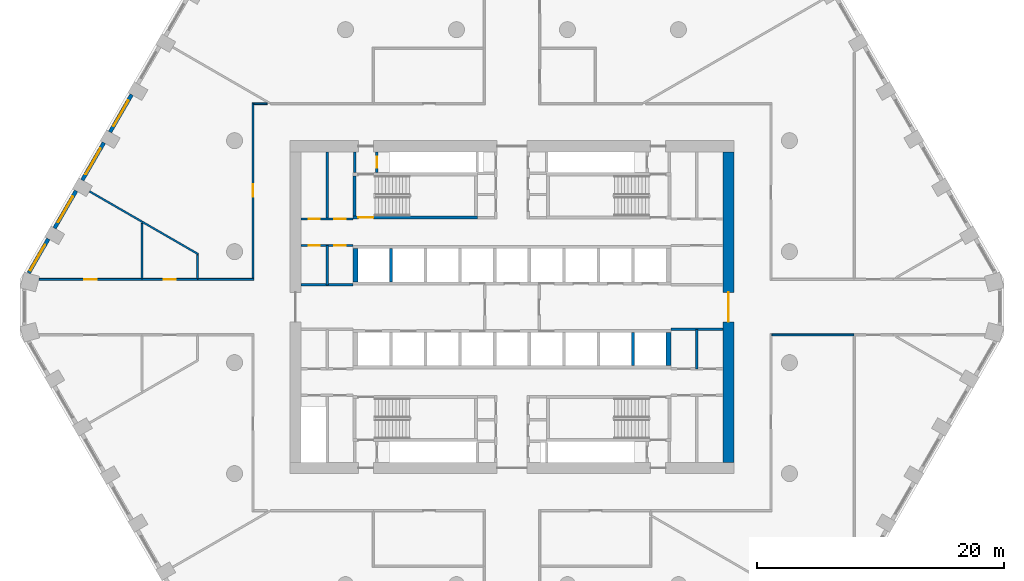
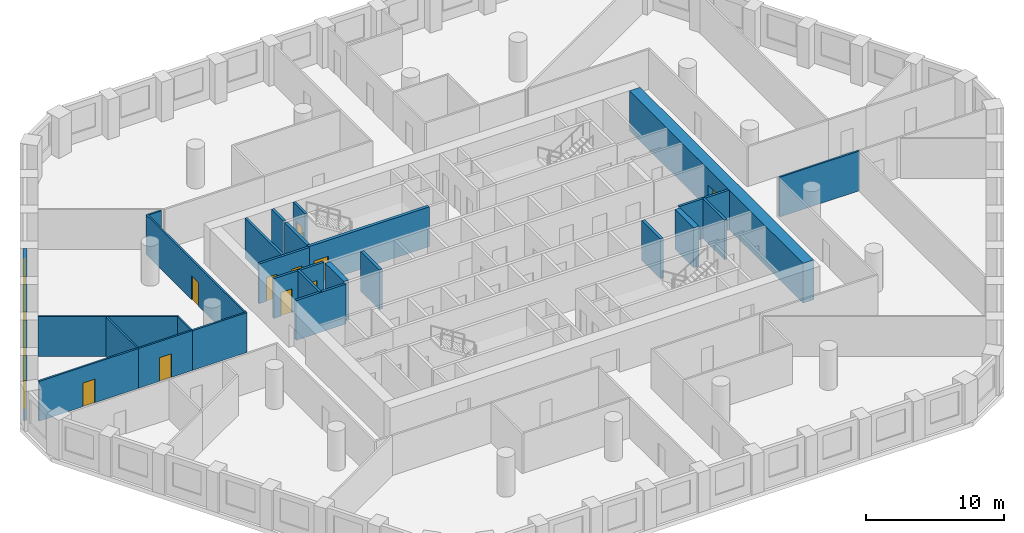
# One storey, part 5 of 10: 30 walls, 10 doors, 4 windows, 14 openings.
"""IFC4 building model written with IfcOpenShell, lengths in metres."""

from ifc_helpers import new_model, si_unit, direction, frame, frame_2d, origin, place, context, subcontext, project, spatial, polyline, rectangle, outline, extrude, material, layer, layer_set, type_object, element, fill, save


model = new_model("IFC4")

# Units and contexts
model_context = context("Model", 3, precision=1e-05, world=origin(), true_north=direction((0.0, 1.0)))
body_context = subcontext(model_context, "Body", "Model", "MODEL_VIEW")
ifc_project = project(units=[si_unit("LENGTHUNIT", "METRE"), si_unit("AREAUNIT", "SQUARE_METRE"), si_unit("VOLUMEUNIT", "CUBIC_METRE"), si_unit("PLANEANGLEUNIT", "RADIAN"), si_unit("MASSUNIT", "GRAM", prefix="KILO")], contexts=[model_context])

# Site, building, storey
site_placement = place(None, origin())
site = spatial("IfcSite", under=ifc_project, at=site_placement, CompositionType="ELEMENT")
building_placement = place(site_placement, origin())
building = spatial("IfcBuilding", under=site, at=building_placement, Name="Dhurran Vertical Campus", CompositionType="ELEMENT")
storey_placement = place(building_placement, frame((0.0, 0.0, 108.60009765625)))
storey = spatial("IfcBuildingStorey", under=building, at=storey_placement, Name="L26", CompositionType="ELEMENT", Elevation=108.60009765625)

# Wall, opening, window
ifc_material_1 = material(Name="Precast concrete C50/60", Category="concrete")
ifc_layer_1 = layer(ifc_material_1, 0.300048828125)
ifc_layer_set_1 = layer_set([ifc_layer_1], Name="Precast concrete C50/60")
wall_type_1 = type_object("IfcWallType", Name="Precast spandrel wall 300", PredefinedType="SOLIDWALL", material=ifc_layer_set_1)
wall_1_placement = place(storey_placement, frame((-30.84423828125, 17.22998046875, 0.0), z_axis=(0.0, 0.0, 1.0), x_axis=(-0.499996256241, -0.866027565234, 0.0)))
wall_1 = element("IfcWall", 1, at=wall_1_placement, inside=storey, type_object=wall_type_1, Name="EW1 L26.39", PredefinedType="SOLIDWALL", context=body_context, shape_type="SweptSolid", body=[
    extrude(rectangle(XDim=3.4990234375, YDim=0.300048828125, at=frame_2d((1.74951171875, 0.0))), origin(), (0.0, 0.0, 1.0), 3.52490234375),
])
opening_1_placement = place(wall_1_placement, frame((0.549560546875, 0.0, 0.89990234375)))
opening_1 = element("IfcOpeningElement", 2, at=opening_1_placement, cuts=wall_1, Name="Opening WT1", PredefinedType="OPENING", context=body_context, shape_type="SweptSolid", body=[
    extrude(rectangle(XDim=2.39990234375, YDim=2.10009765625, at=frame_2d((1.199951171875, 1.050048828125))), frame((0.0, 0.159912109375, 0.0), z_axis=(0.0, -1.0, 0.0), x_axis=(1.0, 0.0, 0.0)), (0.0, 0.0, 1.0), 0.320068359375),
])
ifc_material_2 = material(Name="Aluminium frame with solar-control glass", Category="aluminium")
window_type = type_object("IfcWindowType", Name="Punched window 2400 x 2100", PartitioningType="SINGLE_PANEL", PredefinedType="WINDOW", material=ifc_material_2)
window_1_placement = place(opening_1_placement, origin())
window_1 = element("IfcWindow", 3, at=window_1_placement, inside=storey, type_object=window_type, Name="WT1 L26.39", OverallHeight=2.10009765625, OverallWidth=2.39990234375, PartitioningType="SINGLE_PANEL", PredefinedType="WINDOW", context=body_context, shape_type="SweptSolid", body=[
    extrude(rectangle(XDim=2.39990234375, YDim=2.10009765625, at=frame_2d((1.199951171875, 1.050048828125))), frame((0.0, 0.030029296875, 0.0), z_axis=(0.0, -1.0, 0.0), x_axis=(1.0, 0.0, 0.0)), (0.0, 0.0, 1.0), 0.06005859375),
])
fill(opening_1, window_1)

wall_2_placement = place(storey_placement, frame((-33.09423828125, 13.3330078125, 0.0), z_axis=(0.0, 0.0, 1.0), x_axis=(-0.499996256241, -0.866027565234, 0.0)))
wall_2 = element("IfcWall", 4, at=wall_2_placement, inside=storey, type_object=wall_type_1, Name="EW1 L26.40", PredefinedType="SOLIDWALL", context=body_context, shape_type="SweptSolid", body=[
    extrude(rectangle(XDim=3.4990234375, YDim=0.300048828125, at=frame_2d((1.74951171875, 0.0))), origin(), (0.0, 0.0, 1.0), 3.52490234375),
])
opening_2_placement = place(wall_2_placement, frame((0.549560546875, 0.0, 0.89990234375)))
opening_2 = element("IfcOpeningElement", 5, at=opening_2_placement, cuts=wall_2, Name="Opening WT1", PredefinedType="OPENING", context=body_context, shape_type="SweptSolid", body=[
    extrude(rectangle(XDim=2.39990234375, YDim=2.10009765625, at=frame_2d((1.199951171875, 1.050048828125))), frame((0.0, 0.159912109375, 0.0), z_axis=(0.0, -1.0, 0.0), x_axis=(1.0, 0.0, 0.0)), (0.0, 0.0, 1.0), 0.320068359375),
])
window_2_placement = place(opening_2_placement, origin())
window_2 = element("IfcWindow", 6, at=window_2_placement, inside=storey, type_object=window_type, Name="WT1 L26.40", OverallHeight=2.10009765625, OverallWidth=2.39990234375, PartitioningType="SINGLE_PANEL", PredefinedType="WINDOW", context=body_context, shape_type="SweptSolid", body=[
    extrude(rectangle(XDim=2.39990234375, YDim=2.10009765625, at=frame_2d((1.199951171875, 1.050048828125))), frame((0.0, 0.030029296875, 0.0), z_axis=(0.0, -1.0, 0.0), x_axis=(1.0, 0.0, 0.0)), (0.0, 0.0, 1.0), 0.06005859375),
])
fill(opening_2, window_2)

wall_3_placement = place(storey_placement, frame((-35.34423828125, 9.435791015625, 0.0), z_axis=(0.0, 0.0, 1.0), x_axis=(-0.499996256241, -0.866027565234, 0.0)))
wall_3 = element("IfcWall", 7, at=wall_3_placement, inside=storey, type_object=wall_type_1, Name="EW1 L26.41", PredefinedType="SOLIDWALL", context=body_context, shape_type="SweptSolid", body=[
    extrude(rectangle(XDim=3.4990234375, YDim=0.300048828125, at=frame_2d((1.74951171875, 0.0))), origin(), (0.0, 0.0, 1.0), 3.52490234375),
])
opening_3_placement = place(wall_3_placement, frame((0.549560546875, 0.0, 0.89990234375)))
opening_3 = element("IfcOpeningElement", 8, at=opening_3_placement, cuts=wall_3, Name="Opening WT1", PredefinedType="OPENING", context=body_context, shape_type="SweptSolid", body=[
    extrude(rectangle(XDim=2.39990234375, YDim=2.10009765625, at=frame_2d((1.199951171875, 1.050048828125))), frame((0.0, 0.159912109375, 0.0), z_axis=(0.0, -1.0, 0.0), x_axis=(1.0, 0.0, 0.0)), (0.0, 0.0, 1.0), 0.320068359375),
])
window_3_placement = place(opening_3_placement, origin())
window_3 = element("IfcWindow", 9, at=window_3_placement, inside=storey, type_object=window_type, Name="WT1 L26.41", OverallHeight=2.10009765625, OverallWidth=2.39990234375, PartitioningType="SINGLE_PANEL", PredefinedType="WINDOW", context=body_context, shape_type="SweptSolid", body=[
    extrude(rectangle(XDim=2.39990234375, YDim=2.10009765625, at=frame_2d((1.199951171875, 1.050048828125))), frame((0.0, 0.030029296875, 0.0), z_axis=(0.0, -1.0, 0.0), x_axis=(1.0, 0.0, 0.0)), (0.0, 0.0, 1.0), 0.06005859375),
])
fill(opening_3, window_3)

wall_4_placement = place(storey_placement, frame((-37.59423828125, 5.538818359375, 0.0), z_axis=(0.0, 0.0, 1.0), x_axis=(-0.500004907028, -0.866022570692, 0.0)))
wall_4 = element("IfcWall", 10, at=wall_4_placement, inside=storey, type_object=wall_type_1, Name="EW1 L26.42", PredefinedType="SOLIDWALL", context=body_context, shape_type="SweptSolid", body=[
    extrude(rectangle(XDim=3.1923828125, YDim=0.300048828125, at=frame_2d((1.59619140625, 0.0))), origin(), (0.0, 0.0, 1.0), 3.52490234375),
])
opening_4_placement = place(wall_4_placement, frame((0.549560546875, 0.0, 0.89990234375)))
opening_4 = element("IfcOpeningElement", 11, at=opening_4_placement, cuts=wall_4, Name="Opening WT1", PredefinedType="OPENING", context=body_context, shape_type="SweptSolid", body=[
    extrude(rectangle(XDim=2.39990234375, YDim=2.10009765625, at=frame_2d((1.199951171875, 1.050048828125))), frame((0.0, 0.159912109375, 0.0), z_axis=(0.0, -1.0, 0.0), x_axis=(1.0, 0.0, 0.0)), (0.0, 0.0, 1.0), 0.320068359375),
])
window_4_placement = place(opening_4_placement, origin())
window_4 = element("IfcWindow", 12, at=window_4_placement, inside=storey, type_object=window_type, Name="WT1 L26.42", OverallHeight=2.10009765625, OverallWidth=2.39990234375, PartitioningType="SINGLE_PANEL", PredefinedType="WINDOW", context=body_context, shape_type="SweptSolid", body=[
    extrude(rectangle(XDim=2.39990234375, YDim=2.10009765625, at=frame_2d((1.199951171875, 1.050048828125))), frame((0.0, 0.030029296875, 0.0), z_axis=(0.0, -1.0, 0.0), x_axis=(1.0, 0.0, 0.0)), (0.0, 0.0, 1.0), 0.06005859375),
])
fill(opening_4, window_4)

# Wall, opening, door
ifc_material_3 = material(Name="Concrete C60/75", Category="concrete")
ifc_layer_2 = layer(ifc_material_3, 0.89990234375)
ifc_layer_set_2 = layer_set([ifc_layer_2], Name="Concrete C60/75")
wall_type_2 = type_object("IfcWallType", Name="co-CORE-WALL-C0-900", PredefinedType="SHEAR", material=ifc_layer_set_2)
wall_5_placement = place(storey_placement, frame((17.550048828125, -12.60009765625, 0.0), z_axis=(0.0, 0.0, 1.0), x_axis=(0.0, 1.0, 0.0)))
wall_5 = element("IfcWall", 13, at=wall_5_placement, inside=storey, type_object=wall_type_2, Name="Core wall E L26", PredefinedType="SHEAR", context=body_context, shape_type="SweptSolid", body=[
    extrude(rectangle(XDim=25.2001953125, YDim=0.89990234375, at=frame_2d((12.60009765625, 0.0))), origin(), (0.0, 0.0, 1.0), 3.52490234375),
])
opening_5_placement = place(wall_5_placement, frame((11.39990234375, 0.0, 0.0)))
opening_5 = element("IfcOpeningElement", 14, at=opening_5_placement, cuts=wall_5, Name="Opening CL2", PredefinedType="OPENING", context=body_context, shape_type="SweptSolid", body=[
    extrude(rectangle(XDim=2.39990234375, YDim=2.10009765625, at=frame_2d((1.199951171875, 1.050048828125))), frame((0.0, 0.4599609375, 0.0), z_axis=(0.0, -1.0, 0.0), x_axis=(1.0, 0.0, 0.0)), (0.0, 0.0, 1.0), 0.919921875),
])
ifc_material_4 = material(Name="Fire-rated glazed door set")
door_type_1 = type_object("IfcDoorType", Name="co-D-LOBBY 2400x2100", OperationType="DOUBLE_DOOR_DOUBLE_SWING", PredefinedType="DOOR", material=ifc_material_4)
door_1_placement = place(opening_5_placement, origin())
door_1 = element("IfcDoor", 15, at=door_1_placement, inside=storey, type_object=door_type_1, Name="Lift lobby door E L26", OperationType="DOUBLE_DOOR_DOUBLE_SWING", OverallHeight=2.10009765625, OverallWidth=2.39990234375, PredefinedType="DOOR", context=body_context, shape_type="SweptSolid", body=[
    extrude(rectangle(XDim=2.39990234375, YDim=2.10009765625, at=frame_2d((1.199951171875, 1.050048828125))), frame((0.0, 0.02490234375, 0.0), z_axis=(0.0, -1.0, 0.0), x_axis=(1.0, 0.0, 0.0)), (0.0, 0.0, 1.0), 0.050048828125),
])
fill(opening_5, door_1)

# Wall
ifc_material_5 = material(Name="Fire-rated masonry blockwork", Category="masonry")
ifc_layer_3 = layer(ifc_material_5, 0.199951171875)
ifc_layer_set_3 = layer_set([ifc_layer_3], Name="Fire-rated masonry blockwork")
wall_type_3 = type_object("IfcWallType", Name="co-FIRE-PARTITION-200", PredefinedType="PARTITIONING", material=ifc_layer_set_3)
wall_6_placement = place(storey_placement, frame((-12.75, 10.89990234375, 0.0), z_axis=(0.0, 0.0, 1.0), x_axis=(0.0, 1.0, 0.0)))
element("IfcWall", 16, at=wall_6_placement, inside=storey, type_object=wall_type_3, Name="Core partition pass-ST1-o L26", PredefinedType="PARTITIONING", context=body_context, shape_type="SweptSolid", body=[
    extrude(rectangle(XDim=1.7001953125, YDim=0.199951171875, at=frame_2d((0.85009765625, 0.0))), origin(), (0.0, 0.0, 1.0), 3.52490234375),
])

# Wall, opening, door
wall_7_placement = place(storey_placement, frame((-10.949951171875, 10.89990234375, 0.0), z_axis=(0.0, 0.0, 1.0), x_axis=(0.0, 1.0, 0.0)))
wall_7 = element("IfcWall", 17, at=wall_7_placement, inside=storey, type_object=wall_type_3, Name="Core partition pass-ST1-i L26", PredefinedType="PARTITIONING", context=body_context, shape_type="SweptSolid", body=[
    extrude(rectangle(XDim=1.7001953125, YDim=0.199951171875, at=frame_2d((0.85009765625, 0.0))), origin(), (0.0, 0.0, 1.0), 3.52490234375),
])
opening_6_placement = place(wall_7_placement, frame((0.39990234375, 0.0, 0.0)))
opening_6 = element("IfcOpeningElement", 18, at=opening_6_placement, cuts=wall_7, Name="Opening T07-C13", PredefinedType="OPENING", context=body_context, shape_type="SweptSolid", body=[
    extrude(rectangle(XDim=0.89990234375, YDim=2.10009765625, at=frame_2d((0.449951171875, 1.050048828125))), frame((0.0, 0.10986328125, 0.0), z_axis=(0.0, -1.0, 0.0), x_axis=(1.0, 0.0, 0.0)), (0.0, 0.0, 1.0), 0.219970703125),
])
ifc_material_6 = material(Name="Fire-rated timber door set", Category="wood")
door_type_2 = type_object("IfcDoorType", Name="co-D-ROOM 900x2100", OperationType="SINGLE_SWING_LEFT", PredefinedType="DOOR", material=ifc_material_6)
door_2_placement = place(opening_6_placement, origin())
door_2 = element("IfcDoor", 19, at=door_2_placement, inside=storey, type_object=door_type_2, Name="Riser room door L26", OperationType="SINGLE_SWING_LEFT", OverallHeight=2.10009765625, OverallWidth=0.89990234375, PredefinedType="DOOR", context=body_context, shape_type="SweptSolid", body=[
    extrude(rectangle(XDim=0.89990234375, YDim=2.10009765625, at=frame_2d((0.449951171875, 1.050048828125))), frame((0.0, 0.02490234375, 0.0), z_axis=(0.0, -1.0, 0.0), x_axis=(1.0, 0.0, 0.0)), (0.0, 0.0, 1.0), 0.050048828125),
])
fill(opening_6, door_2)

# Wall
wall_8_placement = place(storey_placement, frame((-15.0, 7.14990234375, 0.0), z_axis=(0.0, 0.0, 1.0), x_axis=(0.0, 1.0, 0.0)))
element("IfcWall", 20, at=wall_8_placement, inside=storey, type_object=wall_type_3, Name="Core partition en-NW-cut0 L26", PredefinedType="PARTITIONING", context=body_context, shape_type="SweptSolid", body=[
    extrude(rectangle(XDim=5.4501953125, YDim=0.199951171875, at=frame_2d((2.72509765625, 0.0))), origin(), (0.0, 0.0, 1.0), 3.52490234375),
])

# Wall, openings, doors
wall_9_placement = place(storey_placement, frame((-17.10009765625, 7.14990234375, 0.0), z_axis=(0.0, 0.0, 1.0), x_axis=(1.0, 0.0, 0.0)))
wall_9 = element("IfcWall", 21, at=wall_9_placement, inside=storey, type_object=wall_type_3, Name="Core partition en-NW-w L26", PredefinedType="PARTITIONING", context=body_context, shape_type="SweptSolid", body=[
    extrude(rectangle(XDim=4.2001953125, YDim=0.199951171875, at=frame_2d((2.10009765625, 0.0))), origin(), (0.0, 0.0, 1.0), 3.52490234375),
])
opening_7_placement = place(wall_9_placement, frame((0.60009765625, 0.0, 0.0)))
opening_7 = element("IfcOpeningElement", 22, at=opening_7_placement, cuts=wall_9, Name="Opening T07-C17", PredefinedType="OPENING", context=body_context, shape_type="SweptSolid", body=[
    extrude(rectangle(XDim=0.89990234375, YDim=2.10009765625, at=frame_2d((0.449951171875, 1.050048828125))), frame((0.0, 0.10986328125, 0.0), z_axis=(0.0, -1.0, 0.0), x_axis=(1.0, 0.0, 0.0)), (0.0, 0.0, 1.0), 0.219970703125),
])
opening_8_placement = place(wall_9_placement, frame((2.699951171875, 0.0, 0.0)))
opening_8 = element("IfcOpeningElement", 23, at=opening_8_placement, cuts=wall_9, Name="Opening T07-C18", PredefinedType="OPENING", context=body_context, shape_type="SweptSolid", body=[
    extrude(rectangle(XDim=0.89990234375, YDim=2.10009765625, at=frame_2d((0.449951171875, 1.050048828125))), frame((0.0, 0.10986328125, 0.0), z_axis=(0.0, -1.0, 0.0), x_axis=(1.0, 0.0, 0.0)), (0.0, 0.0, 1.0), 0.219970703125),
])
door_3_placement = place(opening_7_placement, origin())
door_3 = element("IfcDoor", 24, at=door_3_placement, inside=storey, type_object=door_type_2, Name="Cleaner's store door L26", OperationType="SINGLE_SWING_LEFT", OverallHeight=2.10009765625, OverallWidth=0.89990234375, PredefinedType="DOOR", context=body_context, shape_type="SweptSolid", body=[
    extrude(rectangle(XDim=0.89990234375, YDim=2.10009765625, at=frame_2d((0.449951171875, 1.050048828125))), frame((0.0, 0.02490234375, 0.0), z_axis=(0.0, -1.0, 0.0), x_axis=(1.0, 0.0, 0.0)), (0.0, 0.0, 1.0), 0.050048828125),
])
fill(opening_7, door_3)
door_4_placement = place(opening_8_placement, origin())
door_4 = element("IfcDoor", 25, at=door_4_placement, inside=storey, type_object=door_type_2, Name="Cleaner's store door L26", OperationType="SINGLE_SWING_LEFT", OverallHeight=2.10009765625, OverallWidth=0.89990234375, PredefinedType="DOOR", context=body_context, shape_type="SweptSolid", body=[
    extrude(rectangle(XDim=0.89990234375, YDim=2.10009765625, at=frame_2d((0.449951171875, 1.050048828125))), frame((0.0, 0.02490234375, 0.0), z_axis=(0.0, -1.0, 0.0), x_axis=(1.0, 0.0, 0.0)), (0.0, 0.0, 1.0), 0.050048828125),
])
fill(opening_8, door_4)

# Wall
wall_10_placement = place(storey_placement, frame((-15.0, 1.800048828125, 0.0), z_axis=(0.0, 0.0, 1.0), x_axis=(0.0, 1.0, 0.0)))
element("IfcWall", 26, at=wall_10_placement, inside=storey, type_object=wall_type_3, Name="Core partition es-NW-cut0 L26", PredefinedType="PARTITIONING", context=body_context, shape_type="SweptSolid", body=[
    extrude(rectangle(XDim=3.199951171875, YDim=0.199951171875, at=frame_2d((1.60009765625, 0.0))), origin(), (0.0, 0.0, 1.0), 3.52490234375),
])

# Wall, openings, doors
wall_11_placement = place(storey_placement, frame((-17.10009765625, 5.0, 0.0), z_axis=(0.0, 0.0, 1.0), x_axis=(1.0, 0.0, 0.0)))
wall_11 = element("IfcWall", 27, at=wall_11_placement, inside=storey, type_object=wall_type_3, Name="Core partition es-NW-w L26", PredefinedType="PARTITIONING", context=body_context, shape_type="SweptSolid", body=[
    extrude(rectangle(XDim=4.2001953125, YDim=0.199951171875, at=frame_2d((2.10009765625, 0.0))), origin(), (0.0, 0.0, 1.0), 3.52490234375),
])
opening_9_placement = place(wall_11_placement, frame((0.60009765625, 0.0, 0.0)))
opening_9 = element("IfcOpeningElement", 28, at=opening_9_placement, cuts=wall_11, Name="Opening T07-C19", PredefinedType="OPENING", context=body_context, shape_type="SweptSolid", body=[
    extrude(rectangle(XDim=0.89990234375, YDim=2.10009765625, at=frame_2d((0.449951171875, 1.050048828125))), frame((0.0, 0.10986328125, 0.0), z_axis=(0.0, -1.0, 0.0), x_axis=(1.0, 0.0, 0.0)), (0.0, 0.0, 1.0), 0.219970703125),
])
opening_10_placement = place(wall_11_placement, frame((2.699951171875, 0.0, 0.0)))
opening_10 = element("IfcOpeningElement", 29, at=opening_10_placement, cuts=wall_11, Name="Opening T07-C20", PredefinedType="OPENING", context=body_context, shape_type="SweptSolid", body=[
    extrude(rectangle(XDim=0.89990234375, YDim=2.10009765625, at=frame_2d((0.449951171875, 1.050048828125))), frame((0.0, 0.10986328125, 0.0), z_axis=(0.0, -1.0, 0.0), x_axis=(1.0, 0.0, 0.0)), (0.0, 0.0, 1.0), 0.219970703125),
])
door_5_placement = place(opening_9_placement, origin())
door_5 = element("IfcDoor", 30, at=door_5_placement, inside=storey, type_object=door_type_2, Name="Fire equipment store door L26", OperationType="SINGLE_SWING_LEFT", OverallHeight=2.10009765625, OverallWidth=0.89990234375, PredefinedType="DOOR", context=body_context, shape_type="SweptSolid", body=[
    extrude(rectangle(XDim=0.89990234375, YDim=2.10009765625, at=frame_2d((0.449951171875, 1.050048828125))), frame((0.0, 0.02490234375, 0.0), z_axis=(0.0, -1.0, 0.0), x_axis=(1.0, 0.0, 0.0)), (0.0, 0.0, 1.0), 0.050048828125),
])
fill(opening_9, door_5)
door_6_placement = place(opening_10_placement, origin())
door_6 = element("IfcDoor", 31, at=door_6_placement, inside=storey, type_object=door_type_2, Name="Housekeeping store door L26", OperationType="SINGLE_SWING_LEFT", OverallHeight=2.10009765625, OverallWidth=0.89990234375, PredefinedType="DOOR", context=body_context, shape_type="SweptSolid", body=[
    extrude(rectangle(XDim=0.89990234375, YDim=2.10009765625, at=frame_2d((0.449951171875, 1.050048828125))), frame((0.0, 0.02490234375, 0.0), z_axis=(0.0, -1.0, 0.0), x_axis=(1.0, 0.0, 0.0)), (0.0, 0.0, 1.0), 0.050048828125),
])
fill(opening_10, door_6)

# Walls
wall_12_placement = place(storey_placement, frame((-17.10009765625, 1.800048828125, 0.0), z_axis=(0.0, 0.0, 1.0), x_axis=(1.0, 0.0, 0.0)))
element("IfcWall", 32, at=wall_12_placement, inside=storey, type_object=wall_type_3, Name="Core partition es-NW-l L26", PredefinedType="PARTITIONING", context=body_context, shape_type="SweptSolid", body=[
    extrude(rectangle(XDim=4.2001953125, YDim=0.199951171875, at=frame_2d((2.10009765625, 0.0))), origin(), (0.0, 0.0, 1.0), 3.52490234375),
])
wall_13_placement = place(storey_placement, frame((15.0, -5.0, 0.0), z_axis=(0.0, 0.0, 1.0), x_axis=(0.0, 1.0, 0.0)))
element("IfcWall", 33, at=wall_13_placement, inside=storey, type_object=wall_type_3, Name="Core partition es-SE-cut0 L26", PredefinedType="PARTITIONING", context=body_context, shape_type="SweptSolid", body=[
    extrude(rectangle(XDim=3.199951171875, YDim=0.199951171875, at=frame_2d((1.60009765625, 0.0))), origin(), (0.0, 0.0, 1.0), 3.52490234375),
])
wall_14_placement = place(storey_placement, frame((12.89990234375, -1.800048828125, 0.0), z_axis=(0.0, 0.0, 1.0), x_axis=(1.0, 0.0, 0.0)))
element("IfcWall", 34, at=wall_14_placement, inside=storey, type_object=wall_type_3, Name="Core partition es-SE-l L26", PredefinedType="PARTITIONING", context=body_context, shape_type="SweptSolid", body=[
    extrude(rectangle(XDim=4.2001953125, YDim=0.199951171875, at=frame_2d((2.10009765625, 0.0))), origin(), (0.0, 0.0, 1.0), 3.52490234375),
])
ifc_material_7 = material(Name="Concrete C50/60", Category="concrete")
ifc_layer_4 = layer(ifc_material_7, 0.25)
ifc_layer_set_4 = layer_set([ifc_layer_4], Name="Concrete C50/60")
wall_type_4 = type_object("IfcWallType", Name="co-SHAFT-MASS-250", PredefinedType="SHEAR", material=ifc_layer_set_4)
wall_15_placement = place(storey_placement, origin())
element("IfcWall", 35, at=wall_15_placement, inside=storey, type_object=wall_type_4, Name="Lift shaft wall N L26 2", PredefinedType="SHEAR", context=body_context, shape_type="SweptSolid", body=[
    extrude(outline(polyline([(-12.89990234375, 2.050048828125), (-12.47509765625, 2.050048828125), (-12.47509765625, 4.75), (-12.89990234375, 4.75), (-12.89990234375, 2.050048828125)])), origin(), (0.0, 0.0, 1.0), 3.52490234375),
])
wall_16_placement = place(storey_placement, origin())
element("IfcWall", 36, at=wall_16_placement, inside=storey, type_object=wall_type_4, Name="Lift shaft wall N L26 3", PredefinedType="SHEAR", context=body_context, shape_type="SweptSolid", body=[
    extrude(outline(polyline([(-9.925048828125, 2.050048828125), (-9.675048828125, 2.050048828125), (-9.675048828125, 4.75), (-9.925048828125, 4.75), (-9.925048828125, 2.050048828125)])), origin(), (0.0, 0.0, 1.0), 3.52490234375),
])
wall_17_placement = place(storey_placement, origin())
element("IfcWall", 37, at=wall_17_placement, inside=storey, type_object=wall_type_4, Name="Lift shaft wall S L26 10", PredefinedType="SHEAR", context=body_context, shape_type="SweptSolid", body=[
    extrude(outline(polyline([(9.675048828125, -4.75), (9.925048828125, -4.75), (9.925048828125, -2.050048828125), (9.675048828125, -2.050048828125), (9.675048828125, -4.75)])), origin(), (0.0, 0.0, 1.0), 3.52490234375),
])
wall_18_placement = place(storey_placement, origin())
element("IfcWall", 38, at=wall_18_placement, inside=storey, type_object=wall_type_4, Name="Lift shaft wall S L26 11", PredefinedType="SHEAR", context=body_context, shape_type="SweptSolid", body=[
    extrude(outline(polyline([(12.47509765625, -4.75), (12.89990234375, -4.75), (12.89990234375, -2.050048828125), (12.47509765625, -2.050048828125), (12.47509765625, -4.75)])), origin(), (0.0, 0.0, 1.0), 3.52490234375),
])

# Wall, opening, door
ifc_material_8 = material(Name="Concrete C40/50", Category="concrete")
ifc_layer_5 = layer(ifc_material_8, 0.25)
ifc_layer_set_5 = layer_set([ifc_layer_5], Name="Concrete C40/50")
wall_type_5 = type_object("IfcWallType", Name="co-STAIR-WALL-250", PredefinedType="SHEAR", material=ifc_layer_set_5)
wall_19_placement = place(storey_placement, frame((-12.89990234375, 7.27490234375, 0.0), z_axis=(0.0, 0.0, 1.0), x_axis=(1.0, 0.0, 0.0)))
wall_19 = element("IfcWall", 39, at=wall_19_placement, inside=storey, type_object=wall_type_5, Name="Stair ST1 enclosure wall L26", PredefinedType="SHEAR", context=body_context, shape_type="SweptSolid", body=[
    extrude(rectangle(XDim=10.099853515625, YDim=0.25, at=frame_2d((5.0498046875, 0.0))), origin(), (0.0, 0.0, 1.0), 3.52490234375),
])
opening_11_placement = place(wall_19_placement, frame((0.449951171875, 0.0, 0.0)))
opening_11 = element("IfcOpeningElement", 40, at=opening_11_placement, cuts=wall_19, Name="Opening SD1", PredefinedType="OPENING", context=body_context, shape_type="SweptSolid", body=[
    extrude(rectangle(XDim=1.199951171875, YDim=2.10009765625, at=frame_2d((0.60009765625, 1.050048828125))), frame((0.0, 0.135009765625, 0.0), z_axis=(0.0, -1.0, 0.0), x_axis=(1.0, 0.0, 0.0)), (0.0, 0.0, 1.0), 0.27001953125),
])
ifc_material_9 = material(Name="Fire-rated steel door set", Category="steel")
door_type_3 = type_object("IfcDoorType", Name="co-D-STAIR 1200x2100", OperationType="SINGLE_SWING_LEFT", PredefinedType="DOOR", material=ifc_material_9)
door_7_placement = place(opening_11_placement, origin())
door_7 = element("IfcDoor", 41, at=door_7_placement, inside=storey, type_object=door_type_3, Name="Stair ST1 door L26", OperationType="SINGLE_SWING_LEFT", OverallHeight=2.10009765625, OverallWidth=1.199951171875, PredefinedType="DOOR", context=body_context, shape_type="SweptSolid", body=[
    extrude(rectangle(XDim=1.199951171875, YDim=2.10009765625, at=frame_2d((0.60009765625, 1.050048828125))), frame((0.0, 0.02490234375, 0.0), z_axis=(0.0, -1.0, 0.0), x_axis=(1.0, 0.0, 0.0)), (0.0, 0.0, 1.0), 0.050048828125),
])
fill(opening_11, door_7)

# Wall
wall_20_placement = place(storey_placement, frame((-12.77490234375, 7.39990234375, 0.0), z_axis=(0.0, 0.0, 1.0), x_axis=(0.0, 1.0, 0.0)))
element("IfcWall", 42, at=wall_20_placement, inside=storey, type_object=wall_type_5, Name="Stair ST1 enclosure wall L26", PredefinedType="SHEAR", context=body_context, shape_type="SweptSolid", body=[
    extrude(rectangle(XDim=3.25, YDim=0.25, at=frame_2d((1.625, 0.0))), origin(), (0.0, 0.0, 1.0), 3.52490234375),
])

# Wall, opening, door
ifc_material_10 = material(Name="Gypsum board corridor wall on steel studs", Category="steel")
ifc_layer_6 = layer(ifc_material_10, 0.14990234375)
ifc_layer_set_6 = layer_set([ifc_layer_6], Name="Gypsum board corridor wall on steel studs")
wall_type_6 = type_object("IfcWallType", Name="fl-CW-150 corridor wall", PredefinedType="PARTITIONING", material=ifc_layer_set_6)
wall_21_placement = place(storey_placement, frame((-38.35009765625, 2.25, 0.0), z_axis=(0.0, 0.0, 1.0), x_axis=(1.0, 0.0, 0.0)))
wall_21 = element("IfcWall", 43, at=wall_21_placement, inside=storey, type_object=wall_type_6, Name="Partition 26-02", PredefinedType="PARTITIONING", context=body_context, shape_type="SweptSolid", body=[
    extrude(rectangle(XDim=8.35009765625, YDim=0.14990234375, at=frame_2d((4.175048828125, 0.0))), origin(), (0.0, 0.0, 1.0), 3.52490234375),
])
opening_12_placement = place(wall_21_placement, frame((3.675048828125, 0.0, 0.0)))
opening_12 = element("IfcOpeningElement", 44, at=opening_12_placement, cuts=wall_21, Name="Opening T07.02", PredefinedType="OPENING", context=body_context, shape_type="SweptSolid", body=[
    extrude(rectangle(XDim=1.0, YDim=2.10009765625, at=frame_2d((0.5, 1.050048828125))), frame((0.0, 0.0849609375, 0.0), z_axis=(0.0, -1.0, 0.0), x_axis=(1.0, 0.0, 0.0)), (0.0, 0.0, 1.0), 0.169921875),
])
ifc_material_11 = material(Name="Solid-core timber door set, fire-rated", Category="wood")
door_type_4 = type_object("IfcDoorType", Name="fl-D-1000x2100", OperationType="SINGLE_SWING_LEFT", PredefinedType="DOOR", material=ifc_material_11)
door_8_placement = place(opening_12_placement, origin())
door_8 = element("IfcDoor", 45, at=door_8_placement, inside=storey, type_object=door_type_4, Name="Door 26.02", OperationType="SINGLE_SWING_LEFT", OverallHeight=2.10009765625, OverallWidth=1.0, PredefinedType="DOOR", context=body_context, shape_type="SweptSolid", body=[
    extrude(rectangle(XDim=1.0, YDim=2.10009765625, at=frame_2d((0.5, 1.050048828125))), frame((0.0, 0.02490234375, 0.0), z_axis=(0.0, -1.0, 0.0), x_axis=(1.0, 0.0, 0.0)), (0.0, 0.0, 1.0), 0.050048828125),
])
fill(opening_12, door_8)

wall_22_placement = place(storey_placement, frame((-30.0, 2.25, 0.0), z_axis=(0.0, 0.0, 1.0), x_axis=(1.0, 0.0, 0.0)))
wall_22 = element("IfcWall", 46, at=wall_22_placement, inside=storey, type_object=wall_type_6, Name="Partition 26-09", PredefinedType="PARTITIONING", context=body_context, shape_type="SweptSolid", body=[
    extrude(rectangle(XDim=4.5, YDim=0.14990234375, at=frame_2d((2.25, 0.0))), origin(), (0.0, 0.0, 1.0), 3.52490234375),
])
opening_13_placement = place(wall_22_placement, frame((1.75, 0.0, 0.0)))
opening_13 = element("IfcOpeningElement", 47, at=opening_13_placement, cuts=wall_22, Name="Opening T07.04", PredefinedType="OPENING", context=body_context, shape_type="SweptSolid", body=[
    extrude(rectangle(XDim=1.0, YDim=2.10009765625, at=frame_2d((0.5, 1.050048828125))), frame((0.0, 0.0849609375, 0.0), z_axis=(0.0, -1.0, 0.0), x_axis=(1.0, 0.0, 0.0)), (0.0, 0.0, 1.0), 0.169921875),
])
door_9_placement = place(opening_13_placement, origin())
door_9 = element("IfcDoor", 48, at=door_9_placement, inside=storey, type_object=door_type_4, Name="Door 26.04", OperationType="SINGLE_SWING_LEFT", OverallHeight=2.10009765625, OverallWidth=1.0, PredefinedType="DOOR", context=body_context, shape_type="SweptSolid", body=[
    extrude(rectangle(XDim=1.0, YDim=2.10009765625, at=frame_2d((0.5, 1.050048828125))), frame((0.0, 0.02490234375, 0.0), z_axis=(0.0, -1.0, 0.0), x_axis=(1.0, 0.0, 0.0)), (0.0, 0.0, 1.0), 0.050048828125),
])
fill(opening_13, door_9)

# Wall
wall_23_placement = place(storey_placement, frame((-25.5, 2.25, 0.0), z_axis=(0.0, 0.0, 1.0), x_axis=(1.0, 0.0, 0.0)))
element("IfcWall", 49, at=wall_23_placement, inside=storey, type_object=wall_type_6, Name="Partition 26-16", PredefinedType="PARTITIONING", context=body_context, shape_type="SweptSolid", body=[
    extrude(rectangle(XDim=4.574951171875, YDim=0.14990234375, at=frame_2d((2.28759765625, 0.0))), origin(), (0.0, 0.0, 1.0), 3.52490234375),
])

# Wall, opening, door
wall_24_placement = place(storey_placement, frame((-21.0, 16.574951171875, 0.0), z_axis=(0.0, 0.0, 1.0), x_axis=(0.0, -1.0, 0.0)))
wall_24 = element("IfcWall", 50, at=wall_24_placement, inside=storey, type_object=wall_type_6, Name="Partition 26-19", PredefinedType="PARTITIONING", context=body_context, shape_type="SweptSolid", body=[
    extrude(rectangle(XDim=14.25, YDim=0.14990234375, at=frame_2d((7.125, 0.0))), origin(), (0.0, 0.0, 1.0), 3.52490234375),
])
opening_14_placement = place(wall_24_placement, frame((6.625, 0.0, 0.0)))
opening_14 = element("IfcOpeningElement", 51, at=opening_14_placement, cuts=wall_24, Name="Opening T07.06", PredefinedType="OPENING", context=body_context, shape_type="SweptSolid", body=[
    extrude(rectangle(XDim=1.0, YDim=2.10009765625, at=frame_2d((0.5, 1.050048828125))), frame((0.0, 0.0849609375, 0.0), z_axis=(0.0, -1.0, 0.0), x_axis=(1.0, 0.0, 0.0)), (0.0, 0.0, 1.0), 0.169921875),
])
door_10_placement = place(opening_14_placement, origin())
door_10 = element("IfcDoor", 52, at=door_10_placement, inside=storey, type_object=door_type_4, Name="Door 26.06", OperationType="SINGLE_SWING_RIGHT", OverallHeight=2.10009765625, OverallWidth=1.0, PredefinedType="DOOR", context=body_context, shape_type="SweptSolid", body=[
    extrude(rectangle(XDim=1.0, YDim=2.10009765625, at=frame_2d((0.5, 1.050048828125))), frame((0.0, 0.02490234375, 0.0), z_axis=(0.0, -1.0, 0.0), x_axis=(1.0, 0.0, 0.0)), (0.0, 0.0, 1.0), 0.050048828125),
])
fill(opening_14, door_10)

# Walls
wall_25_placement = place(storey_placement, frame((-19.85400390625, 16.5, 0.0), z_axis=(0.0, 0.0, 1.0), x_axis=(-1.0, 0.0, 0.0)))
element("IfcWall", 53, at=wall_25_placement, inside=storey, type_object=wall_type_6, Name="Partition 26-20", PredefinedType="PARTITIONING", context=body_context, shape_type="SweptSolid", body=[
    extrude(rectangle(XDim=1.071044921875, YDim=0.14990234375, at=frame_2d((0.53564453125, 0.0))), origin(), (0.0, 0.0, 1.0), 3.52490234375),
])
wall_26_placement = place(storey_placement, frame((27.75, -2.25, 0.0), z_axis=(0.0, 0.0, 1.0), x_axis=(-1.0, 0.0, 0.0)))
element("IfcWall", 54, at=wall_26_placement, inside=storey, type_object=wall_type_6, Name="Partition 26-53", PredefinedType="PARTITIONING", context=body_context, shape_type="SweptSolid", body=[
    extrude(rectangle(XDim=6.675048828125, YDim=0.14990234375, at=frame_2d((3.33740234375, 0.0))), origin(), (0.0, 0.0, 1.0), 3.52490234375),
])
ifc_material_12 = material(Name="Gypsum board partition on steel studs", Category="steel")
ifc_layer_7 = layer(ifc_material_12, 0.14990234375)
ifc_layer_set_7 = layer_set([ifc_layer_7], Name="Gypsum board partition on steel studs")
wall_type_7 = type_object("IfcWallType", Name="fl-PW-150 fixed partition", PredefinedType="PARTITIONING", material=ifc_layer_set_7)
wall_27_placement = place(storey_placement, frame((-34.25390625, 9.38427734375, 0.0), z_axis=(0.0, 0.0, 1.0), x_axis=(0.865998524286, -0.500046553767, 0.0)))
element("IfcWall", 55, at=wall_27_placement, inside=storey, type_object=wall_type_7, Name="Partition 26-04", PredefinedType="PARTITIONING", context=body_context, shape_type="SweptSolid", body=[
    extrude(rectangle(XDim=4.912109375, YDim=0.14990234375, at=frame_2d((2.4560546875, 0.0))), origin(), (0.0, 0.0, 1.0), 3.52490234375),
])
wall_28_placement = place(storey_placement, frame((-30.0, 6.798095703125, 0.0), z_axis=(0.0, 0.0, 1.0), x_axis=(0.0, -1.0, 0.0)))
element("IfcWall", 56, at=wall_28_placement, inside=storey, type_object=wall_type_7, Name="Partition 26-08", PredefinedType="PARTITIONING", context=body_context, shape_type="SweptSolid", body=[
    extrude(rectangle(XDim=4.47314453125, YDim=0.14990234375, at=frame_2d((2.236572265625, 0.0))), origin(), (0.0, 0.0, 1.0), 3.52490234375),
])
wall_29_placement = place(storey_placement, frame((-30.0, 6.927978515625, 0.0), z_axis=(0.0, 0.0, 1.0), x_axis=(0.866031326857, -0.499989740797, 0.0)))
element("IfcWall", 57, at=wall_29_placement, inside=storey, type_object=wall_type_7, Name="Partition 26-10", PredefinedType="PARTITIONING", context=body_context, shape_type="SweptSolid", body=[
    extrude(rectangle(XDim=5.27099609375, YDim=0.14990234375, at=frame_2d((2.635498046875, 0.0))), origin(), (0.0, 0.0, 1.0), 3.52490234375),
])
wall_30_placement = place(storey_placement, frame((-25.5, 4.22998046875, 0.0), z_axis=(0.0, 0.0, 1.0), x_axis=(0.0, -1.0, 0.0)))
element("IfcWall", 58, at=wall_30_placement, inside=storey, type_object=wall_type_7, Name="Partition 26-15", PredefinedType="PARTITIONING", context=body_context, shape_type="SweptSolid", body=[
    extrude(rectangle(XDim=1.905029296875, YDim=0.14990234375, at=frame_2d((0.95263671875, 0.0))), origin(), (0.0, 0.0, 1.0), 3.52490234375),
])

save(model, "model.ifc")
